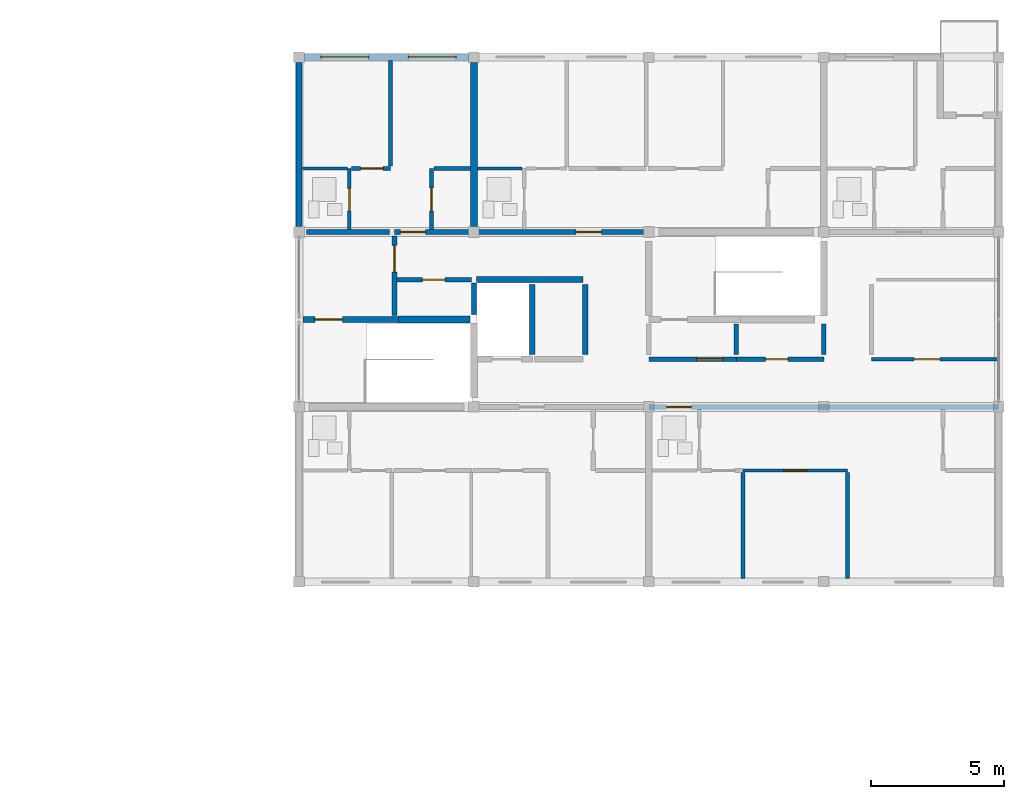
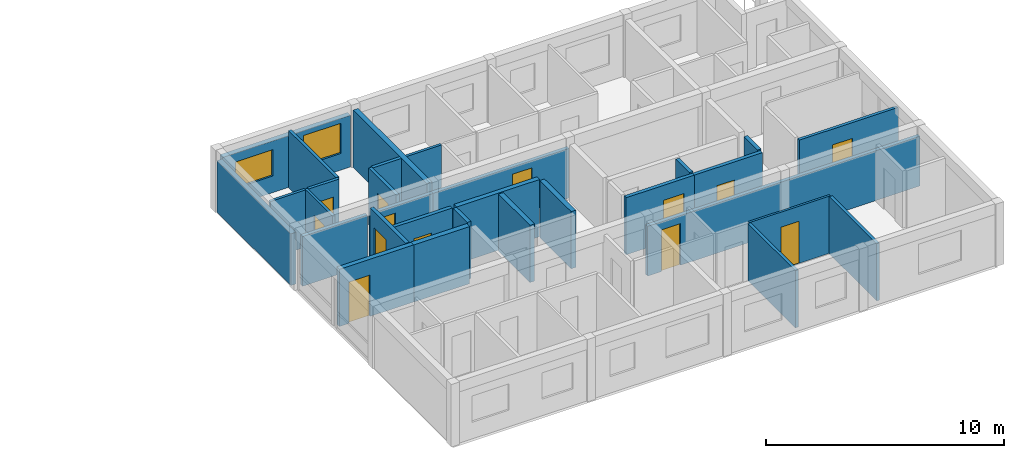
# One storey, part 17 of 23: 30 walls, 13 doors, 2 windows, 15 openings.
"""IFC4 building model written with IfcOpenShell, lengths in metres."""

from ifc_helpers import new_model, si_unit, direction, frame, frame_2d, origin, place, context, subcontext, project, spatial, rectangle, extrude, material, layer, layer_set, type_object, element, fill, save


model = new_model("IFC4")

# Units and contexts
model_context = context("Model", 3, precision=1e-05, world=origin(), true_north=direction((0.0, 1.0)))
body_context = subcontext(model_context, "Body", "Model", "MODEL_VIEW")
ifc_project = project(units=[si_unit("LENGTHUNIT", "METRE"), si_unit("AREAUNIT", "SQUARE_METRE"), si_unit("VOLUMEUNIT", "CUBIC_METRE"), si_unit("PLANEANGLEUNIT", "RADIAN"), si_unit("MASSUNIT", "GRAM", prefix="KILO")], contexts=[model_context])

# Site, building, storey
site_placement = place(None, origin())
site = spatial("IfcSite", under=ifc_project, at=site_placement, CompositionType="ELEMENT")
building_placement = place(site_placement, origin())
building = spatial("IfcBuilding", under=site, at=building_placement, Name="Kernevlak Ridge Housing Community", CompositionType="ELEMENT")
storey_placement = place(building_placement, frame((0.0, 0.0, 46.800048828125)))
storey = spatial("IfcBuildingStorey", under=building, at=storey_placement, Name="L14", CompositionType="ELEMENT", Elevation=46.800048828125)

# Wall, openings, windows
ifc_material_1 = material(Name="Concrete block masonry M10", Category="masonry")
ifc_layer_1 = layer(ifc_material_1, 0.239990234375, Name="Concrete block masonry M10")
ifc_layer_set_1 = layer_set([ifc_layer_1], Name="Concrete block masonry M10")
wall_type_1 = type_object("IfcWallType", Name="EW-06", PredefinedType="STANDARD", material=ifc_layer_set_1)
wall_1_placement = place(storey_placement, frame((119.60009765625, 102.39990234375, 0.0), z_axis=(0.0, 0.0, 1.0), x_axis=(1.0, 0.0, 0.0)))
wall_1 = element("IfcWall", 1, at=wall_1_placement, inside=storey, type_object=wall_type_1, Name="Exterior wall EW-06 L14 518", PredefinedType="STANDARD", context=body_context, shape_type="SweptSolid", body=[
    extrude(rectangle(XDim=6.199951171875, YDim=0.239990234375, at=frame_2d((3.10009765625, 0.0))), origin(), (0.0, 0.0, 1.0), 2.64990234375),
])
opening_1_placement = place(wall_1_placement, frame((0.625, 0.0, 0.85009765625)))
opening_1 = element("IfcOpeningElement", 2, at=opening_1_placement, cuts=wall_1, Name="Opening WT-03", PredefinedType="OPENING", context=body_context, shape_type="SweptSolid", body=[
    extrude(rectangle(XDim=1.800048828125, YDim=1.35009765625, at=frame_2d((0.89990234375, 0.675048828125))), frame((0.0, 0.1298828125, 0.0), z_axis=(0.0, -1.0, 0.0), x_axis=(1.0, 0.0, 0.0)), (0.0, 0.0, 1.0), 0.260009765625),
])
opening_2_placement = place(wall_1_placement, frame((3.925048828125, 0.0, 0.85009765625)))
opening_2 = element("IfcOpeningElement", 3, at=opening_2_placement, cuts=wall_1, Name="Opening WT-04", PredefinedType="OPENING", context=body_context, shape_type="SweptSolid", body=[
    extrude(rectangle(XDim=1.800048828125, YDim=1.550048828125, at=frame_2d((0.89990234375, 0.77490234375))), frame((0.0, 0.1298828125, 0.0), z_axis=(0.0, -1.0, 0.0), x_axis=(1.0, 0.0, 0.0)), (0.0, 0.0, 1.0), 0.260009765625),
])
ifc_material_2 = material(Name="Aluminium EN AW-6060 anodised and laminated glass", Category="aluminium")
window_type_1 = type_object("IfcWindowType", Name="WT-03", PartitioningType="SINGLE_PANEL", PredefinedType="WINDOW", material=ifc_material_2)
window_1_placement = place(opening_1_placement, origin())
window_1 = element("IfcWindow", 4, at=window_1_placement, inside=storey, type_object=window_type_1, Name="Window WT-03 L14 408", OverallHeight=1.35009765625, OverallWidth=1.800048828125, PartitioningType="SINGLE_PANEL", PredefinedType="WINDOW", context=body_context, shape_type="SweptSolid", body=[
    extrude(rectangle(XDim=1.800048828125, YDim=1.35009765625, at=frame_2d((0.89990234375, 0.675048828125))), frame((0.0, 0.030029296875, 0.0), z_axis=(0.0, -1.0, 0.0), x_axis=(1.0, 0.0, 0.0)), (0.0, 0.0, 1.0), 0.06005859375),
])
fill(opening_1, window_1)
window_type_2 = type_object("IfcWindowType", Name="WT-04", PartitioningType="SINGLE_PANEL", PredefinedType="WINDOW", material=ifc_material_2)
window_2_placement = place(opening_2_placement, origin())
window_2 = element("IfcWindow", 5, at=window_2_placement, inside=storey, type_object=window_type_2, Name="Window WT-04 L14 409", OverallHeight=1.550048828125, OverallWidth=1.800048828125, PartitioningType="SINGLE_PANEL", PredefinedType="WINDOW", context=body_context, shape_type="SweptSolid", body=[
    extrude(rectangle(XDim=1.800048828125, YDim=1.550048828125, at=frame_2d((0.89990234375, 0.77490234375))), frame((0.0, 0.030029296875, 0.0), z_axis=(0.0, -1.0, 0.0), x_axis=(1.0, 0.0, 0.0)), (0.0, 0.0, 1.0), 0.06005859375),
])
fill(opening_2, window_2)

# Wall
wall_2_placement = place(storey_placement, frame((119.39990234375, 96.0, 0.0), z_axis=(0.0, 0.0, 1.0), x_axis=(0.0, 1.0, 0.0)))
element("IfcWall", 6, at=wall_2_placement, inside=storey, type_object=wall_type_1, Name="Exterior wall EW-06 L14 525", PredefinedType="STANDARD", context=body_context, shape_type="SweptSolid", body=[
    extrude(rectangle(XDim=6.199951171875, YDim=0.239990234375, at=frame_2d((3.10009765625, 0.0))), origin(), (0.0, 0.0, 1.0), 2.64990234375),
])

# Wall, opening, door
ifc_material_3 = material(Name="Concrete C35/45", Category="concrete")
ifc_layer_2 = layer(ifc_material_3, 0.22509765625, Name="Concrete C35/45")
ifc_layer_set_2 = layer_set([ifc_layer_2], Name="Concrete C35/45")
wall_type_2 = type_object("IfcWallType", Name="PW-01", PredefinedType="STANDARD", material=ifc_layer_set_2)
wall_3_placement = place(storey_placement, frame((119.550048828125, 92.5, 0.0), z_axis=(0.0, 0.0, 1.0), x_axis=(1.0, 0.0, 0.0)))
wall_3 = element("IfcWall", 7, at=wall_3_placement, inside=storey, type_object=wall_type_2, Name="Interior wall PW-01 WAL-INT-L14-2019", PredefinedType="STANDARD", context=body_context, shape_type="SweptSolid", body=[
    extrude(rectangle(XDim=3.599853515625, YDim=0.22509765625, at=frame_2d((1.7998046875, 0.0))), origin(), (0.0, 0.0, 1.0), 2.929931640625),
])
opening_3_placement = place(wall_3_placement, frame((0.449951171875, 0.0, 0.0)))
opening_3 = element("IfcOpeningElement", 8, at=opening_3_placement, cuts=wall_3, Name="Opening E026", PredefinedType="OPENING", context=body_context, shape_type="SweptSolid", body=[
    extrude(rectangle(XDim=1.0400390625, YDim=2.1201171875, at=frame_2d((0.52001953125, 1.06005859375))), frame((0.0, 0.12255859375, 0.0), z_axis=(0.0, -1.0, 0.0), x_axis=(1.0, 0.0, 0.0)), (0.0, 0.0, 1.0), 0.2451171875),
])
ifc_material_4 = material(Name="Fire-rated sheet steel leaf", Category="steel")
door_type_1 = type_object("IfcDoorType", Name="DT-16", OperationType="NOTDEFINED", PredefinedType="DOOR", material=ifc_material_4)
door_1_placement = place(opening_3_placement, origin())
door_1 = element("IfcDoor", 9, at=door_1_placement, inside=storey, type_object=door_type_1, Name="Block B Stair 1 fire door E026", OperationType="SINGLE_SWING_LEFT", OverallHeight=2.1201171875, OverallWidth=1.0400390625, PredefinedType="DOOR", context=body_context, shape_type="SweptSolid", body=[
    extrude(rectangle(XDim=1.0400390625, YDim=2.1201171875, at=frame_2d((0.52001953125, 1.06005859375))), frame((0.0, 0.02490234375, 0.0), z_axis=(0.0, -1.0, 0.0), x_axis=(1.0, 0.0, 0.0)), (0.0, 0.0, 1.0), 0.050048828125),
])
fill(opening_3, door_1)

# Walls
wall_4_placement = place(storey_placement, frame((126.097412109375, 94.0, 0.0), z_axis=(0.0, 0.0, 1.0), x_axis=(1.0, 0.0, 0.0)))
element("IfcWall", 10, at=wall_4_placement, inside=storey, type_object=wall_type_2, Name="Interior wall PW-01 WAL-INT-L14-2025", PredefinedType="STANDARD", context=body_context, shape_type="SweptSolid", body=[
    extrude(rectangle(XDim=4.022705078125, YDim=0.22509765625, at=frame_2d((2.01123046875, 0.0))), origin(), (0.0, 0.0, 1.0), 2.929931640625),
])
for number, where, z_axis, x_axis, name in (
    (11, (128.199951171875, 91.179931640625, 0.0), (0.0, 0.0, 1.0), (0.0, 1.0, 0.0), "Interior wall PW-01 WAL-INT-L14-2027"),
    (12, (130.199951171875, 91.179931640625, 0.0), (0.0, 0.0, 1.0), (0.0, 1.0, 0.0), "Interior wall PW-01 WAL-INT-L14-2028"),
):
    element("IfcWall", number, at=place(storey_placement, frame(where, z_axis=z_axis, x_axis=x_axis)), inside=storey, type_object=wall_type_2, Name=name, PredefinedType="STANDARD", context=body_context, shape_type="SweptSolid", body=[
        extrude(rectangle(XDim=2.64013671875, YDim=0.22509765625, at=frame_2d((1.320068359375, 0.0))), origin(), (0.0, 0.0, 1.0), 2.929931640625),
    ])

# Wall, opening, door
ifc_layer_3 = layer(ifc_material_1, 0.175048828125, Name="Concrete block masonry M10")
ifc_layer_set_3 = layer_set([ifc_layer_3], Name="Concrete block masonry M10")
wall_type_3 = type_object("IfcWallType", Name="PW-02", PredefinedType="PARTITIONING", material=ifc_layer_set_3)
wall_5_placement = place(storey_placement, frame((123.0, 92.64990234375, 0.0), z_axis=(0.0, 0.0, 1.0), x_axis=(0.0, 1.0, 0.0)))
wall_5 = element("IfcWall", 13, at=wall_5_placement, inside=storey, type_object=wall_type_3, Name="Interior wall PW-02 WAL-INT-L14-2020", PredefinedType="PARTITIONING", context=body_context, shape_type="SweptSolid", body=[
    extrude(rectangle(XDim=3.0, YDim=0.175048828125, at=frame_2d((1.5, 0.0))), origin(), (0.0, 0.0, 1.0), 2.929931640625),
])
opening_4_placement = place(wall_5_placement, frame((1.64990234375, 0.0, 0.0)))
opening_4 = element("IfcOpeningElement", 14, at=opening_4_placement, cuts=wall_5, Name="Opening E027", PredefinedType="OPENING", context=body_context, shape_type="SweptSolid", body=[
    extrude(rectangle(XDim=1.0, YDim=2.10009765625, at=frame_2d((0.5, 1.050048828125))), frame((0.0, 0.097412109375, 0.0), z_axis=(0.0, -1.0, 0.0), x_axis=(1.0, 0.0, 0.0)), (0.0, 0.0, 1.0), 0.195068359375),
])
door_type_2 = type_object("IfcDoorType", Name="DT-05", OperationType="NOTDEFINED", PredefinedType="DOOR", material=ifc_material_4)
door_2_placement = place(opening_4_placement, origin())
door_2 = element("IfcDoor", 15, at=door_2_placement, inside=storey, type_object=door_type_2, Name="Block B Firefighting lobby 1 door E027", OperationType="SINGLE_SWING_RIGHT", OverallHeight=2.10009765625, OverallWidth=1.0, PredefinedType="DOOR", context=body_context, shape_type="SweptSolid", body=[
    extrude(rectangle(XDim=1.0, YDim=2.10009765625, at=frame_2d((0.5, 1.050048828125))), frame((0.0, 0.02490234375, 0.0), z_axis=(0.0, -1.0, 0.0), x_axis=(1.0, 0.0, 0.0)), (0.0, 0.0, 1.0), 0.050048828125),
])
fill(opening_4, door_2)

wall_6_placement = place(storey_placement, frame((123.10009765625, 94.0, 0.0), z_axis=(0.0, 0.0, 1.0), x_axis=(1.0, 0.0, 0.0)))
wall_6 = element("IfcWall", 16, at=wall_6_placement, inside=storey, type_object=wall_type_3, Name="Interior wall PW-02 WAL-INT-L14-2021", PredefinedType="PARTITIONING", context=body_context, shape_type="SweptSolid", body=[
    extrude(rectangle(XDim=2.7998046875, YDim=0.175048828125, at=frame_2d((1.39990234375, 0.0))), origin(), (0.0, 0.0, 1.0), 2.929931640625),
])
opening_5_placement = place(wall_6_placement, frame((0.949951171875, 0.0, 0.0)))
opening_5 = element("IfcOpeningElement", 17, at=opening_5_placement, cuts=wall_6, Name="Opening E028", PredefinedType="OPENING", context=body_context, shape_type="SweptSolid", body=[
    extrude(rectangle(XDim=0.85009765625, YDim=2.0, at=frame_2d((0.425048828125, 1.0))), frame((0.0, 0.097412109375, 0.0), z_axis=(0.0, -1.0, 0.0), x_axis=(1.0, 0.0, 0.0)), (0.0, 0.0, 1.0), 0.195068359375),
])
door_type_3 = type_object("IfcDoorType", Name="DT-07", OperationType="NOTDEFINED", PredefinedType="DOOR", material=ifc_material_4)
door_3_placement = place(opening_5_placement, origin())
door_3 = element("IfcDoor", 18, at=door_3_placement, inside=storey, type_object=door_type_3, Name="Block B Riser shaft door E028", OperationType="SINGLE_SWING_LEFT", OverallHeight=2.0, OverallWidth=0.85009765625, PredefinedType="DOOR", context=body_context, shape_type="SweptSolid", body=[
    extrude(rectangle(XDim=0.85009765625, YDim=2.0, at=frame_2d((0.425048828125, 1.0))), frame((0.0, 0.02490234375, 0.0), z_axis=(0.0, -1.0, 0.0), x_axis=(1.0, 0.0, 0.0)), (0.0, 0.0, 1.0), 0.050048828125),
])
fill(opening_5, door_3)

# Wall
wall_7_placement = place(storey_placement, frame((126.0, 92.679931640625, 0.0), z_axis=(0.0, 0.0, 1.0), x_axis=(0.0, 1.0, 0.0)))
element("IfcWall", 19, at=wall_7_placement, inside=storey, type_object=wall_type_3, Name="Interior wall PW-02 WAL-INT-L14-2022", PredefinedType="PARTITIONING", context=body_context, shape_type="SweptSolid", body=[
    extrude(rectangle(XDim=1.190185546875, YDim=0.175048828125, at=frame_2d((0.59521484375, 0.0))), origin(), (0.0, 0.0, 1.0), 2.929931640625),
])

# Wall, opening, door
wall_8_placement = place(storey_placement, frame((132.60009765625, 91.0, 0.0), z_axis=(0.0, 0.0, 1.0), x_axis=(1.0, 0.0, 0.0)))
wall_8 = element("IfcWall", 20, at=wall_8_placement, inside=storey, type_object=wall_type_3, Name="Interior wall PW-02 WAL-INT-L14-2030", PredefinedType="PARTITIONING", context=body_context, shape_type="SweptSolid", body=[
    extrude(rectangle(XDim=3.2998046875, YDim=0.175048828125, at=frame_2d((1.64990234375, 0.0))), origin(), (0.0, 0.0, 1.0), 2.929931640625),
])
opening_6_placement = place(wall_8_placement, frame((1.800048828125, 0.0, 0.0)))
opening_6 = element("IfcOpeningElement", 21, at=opening_6_placement, cuts=wall_8, Name="Opening E030", PredefinedType="OPENING", context=body_context, shape_type="SweptSolid", body=[
    extrude(rectangle(XDim=1.0, YDim=2.159912109375, at=frame_2d((0.5, 1.080078125))), frame((0.0, 0.097412109375, 0.0), z_axis=(0.0, -1.0, 0.0), x_axis=(1.0, 0.0, 0.0)), (0.0, 0.0, 1.0), 0.195068359375),
])
door_type_4 = type_object("IfcDoorType", Name="DT-15", OperationType="NOTDEFINED", PredefinedType="DOOR", material=ifc_material_4)
door_4_placement = place(opening_6_placement, origin())
door_4 = element("IfcDoor", 22, at=door_4_placement, inside=storey, type_object=door_type_4, Name="Block B Firefighting lobby 2 door E030", OperationType="SINGLE_SWING_LEFT", OverallHeight=2.159912109375, OverallWidth=1.0, PredefinedType="DOOR", context=body_context, shape_type="SweptSolid", body=[
    extrude(rectangle(XDim=1.0, YDim=2.159912109375, at=frame_2d((0.5, 1.080078125))), frame((0.0, 0.02490234375, 0.0), z_axis=(0.0, -1.0, 0.0), x_axis=(1.0, 0.0, 0.0)), (0.0, 0.0, 1.0), 0.050048828125),
])
fill(opening_6, door_4)

wall_9_placement = place(storey_placement, frame((135.89990234375, 91.0, 0.0), z_axis=(0.0, 0.0, 1.0), x_axis=(1.0, 0.0, 0.0)))
wall_9 = element("IfcWall", 23, at=wall_9_placement, inside=storey, type_object=wall_type_3, Name="Interior wall PW-02 WAL-INT-L14-2031", PredefinedType="PARTITIONING", context=body_context, shape_type="SweptSolid", body=[
    extrude(rectangle(XDim=3.300048828125, YDim=0.175048828125, at=frame_2d((1.64990234375, 0.0))), origin(), (0.0, 0.0, 1.0), 2.929931640625),
])
opening_7_placement = place(wall_9_placement, frame((1.10009765625, 0.0, 0.0)))
opening_7 = element("IfcOpeningElement", 24, at=opening_7_placement, cuts=wall_9, Name="Opening E031", PredefinedType="OPENING", context=body_context, shape_type="SweptSolid", body=[
    extrude(rectangle(XDim=0.85009765625, YDim=2.0, at=frame_2d((0.425048828125, 1.0))), frame((0.0, 0.097412109375, 0.0), z_axis=(0.0, -1.0, 0.0), x_axis=(1.0, 0.0, 0.0)), (0.0, 0.0, 1.0), 0.195068359375),
])
door_5_placement = place(opening_7_placement, origin())
door_5 = element("IfcDoor", 25, at=door_5_placement, inside=storey, type_object=door_type_3, Name="Block B Cleaner store door E031", OperationType="SINGLE_SWING_RIGHT", OverallHeight=2.0, OverallWidth=0.85009765625, PredefinedType="DOOR", context=body_context, shape_type="SweptSolid", body=[
    extrude(rectangle(XDim=0.85009765625, YDim=2.0, at=frame_2d((0.425048828125, 1.0))), frame((0.0, 0.02490234375, 0.0), z_axis=(0.0, -1.0, 0.0), x_axis=(1.0, 0.0, 0.0)), (0.0, 0.0, 1.0), 0.050048828125),
])
fill(opening_7, door_5)

# Walls
for number, where, z_axis, x_axis, name in (
    (26, (135.89990234375, 91.179931640625, 0.0), (0.0, 0.0, 1.0), (0.0, 1.0, 0.0), "Interior wall PW-02 WAL-INT-L14-2033"),
    (27, (139.199951171875, 91.179931640625, 0.0), (0.0, 0.0, 1.0), (0.0, 1.0, 0.0), "Interior wall PW-02 WAL-INT-L14-2034"),
):
    element("IfcWall", number, at=place(storey_placement, frame(where, z_axis=z_axis, x_axis=x_axis)), inside=storey, type_object=wall_type_3, Name=name, PredefinedType="PARTITIONING", context=body_context, shape_type="SweptSolid", body=[
        extrude(rectangle(XDim=1.14013671875, YDim=0.175048828125, at=frame_2d((0.570068359375, 0.0))), origin(), (0.0, 0.0, 1.0), 2.929931640625),
    ])

# Wall, opening, door
wall_10_placement = place(storey_placement, frame((132.60009765625, 89.199951171875, 0.0), z_axis=(0.0, 0.0, 1.0), x_axis=(1.0, 0.0, 0.0)))
wall_10 = element("IfcWall", 28, at=wall_10_placement, inside=storey, type_object=wall_type_3, Name="Interior wall PW-02 WAL-INT-L14-2049", PredefinedType="PARTITIONING", context=body_context, shape_type="SweptSolid", body=[
    extrude(rectangle(XDim=13.199951171875, YDim=0.175048828125, at=frame_2d((6.60009765625, 0.0))), origin(), (0.0, 0.0, 1.0), 2.550048828125),
])
opening_8_placement = place(wall_10_placement, frame((0.669921875, 0.0, 0.0)))
opening_8 = element("IfcOpeningElement", 29, at=opening_8_placement, cuts=wall_10, Name="Opening E039", PredefinedType="OPENING", context=body_context, shape_type="SweptSolid", body=[
    extrude(rectangle(XDim=0.919921875, YDim=2.139892578125, at=frame_2d((0.4599609375, 1.06982421875))), frame((0.0, 0.097412109375, 0.0), z_axis=(0.0, -1.0, 0.0), x_axis=(1.0, 0.0, 0.0)), (0.0, 0.0, 1.0), 0.195068359375),
])
ifc_material_5 = material(Name="Hardwood timber solid-core fire leaf", Category="wood")
door_type_5 = type_object("IfcDoorType", Name="DT-20", OperationType="NOTDEFINED", PredefinedType="DOOR", material=ifc_material_5)
door_6_placement = place(opening_8_placement, origin())
door_6 = element("IfcDoor", 30, at=door_6_placement, inside=storey, type_object=door_type_5, Name="Flat B1412 entrance fire door E039", OperationType="SINGLE_SWING_RIGHT", OverallHeight=2.139892578125, OverallWidth=0.919921875, PredefinedType="DOOR", context=body_context, shape_type="SweptSolid", body=[
    extrude(rectangle(XDim=0.919921875, YDim=2.139892578125, at=frame_2d((0.4599609375, 1.06982421875))), frame((0.0, 0.02490234375, 0.0), z_axis=(0.0, -1.0, 0.0), x_axis=(1.0, 0.0, 0.0)), (0.0, 0.0, 1.0), 0.050048828125),
])
fill(opening_8, door_6)

# Wall
wall_11_placement = place(storey_placement, frame((119.679931640625, 95.800048828125, 0.0), z_axis=(0.0, 0.0, 1.0), x_axis=(1.0, 0.0, 0.0)))
element("IfcWall", 31, at=wall_11_placement, inside=storey, type_object=wall_type_3, Name="Interior wall PW-02 WAL-INT-L14-2058", PredefinedType="PARTITIONING", context=body_context, shape_type="SweptSolid", body=[
    extrude(rectangle(XDim=3.14013671875, YDim=0.175048828125, at=frame_2d((1.570068359375, 0.0))), origin(), (0.0, 0.0, 1.0), 2.550048828125),
])

# Wall, opening, door
wall_12_placement = place(storey_placement, frame((123.0, 95.800048828125, 0.0), z_axis=(0.0, 0.0, 1.0), x_axis=(1.0, 0.0, 0.0)))
wall_12 = element("IfcWall", 32, at=wall_12_placement, inside=storey, type_object=wall_type_3, Name="Interior wall PW-02 WAL-INT-L14-2059", PredefinedType="PARTITIONING", context=body_context, shape_type="SweptSolid", body=[
    extrude(rectangle(XDim=3.0, YDim=0.175048828125, at=frame_2d((1.5, 0.0))), origin(), (0.0, 0.0, 1.0), 2.550048828125),
])
opening_9_placement = place(wall_12_placement, frame((0.219970703125, 0.0, 0.0)))
opening_9 = element("IfcOpeningElement", 33, at=opening_9_placement, cuts=wall_12, Name="Opening E044", PredefinedType="OPENING", context=body_context, shape_type="SweptSolid", body=[
    extrude(rectangle(XDim=0.9599609375, YDim=2.179931640625, at=frame_2d((0.47998046875, 1.08984375))), frame((0.0, 0.097412109375, 0.0), z_axis=(0.0, -1.0, 0.0), x_axis=(1.0, 0.0, 0.0)), (0.0, 0.0, 1.0), 0.195068359375),
])
door_type_6 = type_object("IfcDoorType", Name="DT-29", OperationType="NOTDEFINED", PredefinedType="DOOR", material=ifc_material_5)
door_7_placement = place(opening_9_placement, origin())
door_7 = element("IfcDoor", 34, at=door_7_placement, inside=storey, type_object=door_type_6, Name="Flat B1421 entrance fire door E044", OperationType="SINGLE_SWING_LEFT", OverallHeight=2.179931640625, OverallWidth=0.9599609375, PredefinedType="DOOR", context=body_context, shape_type="SweptSolid", body=[
    extrude(rectangle(XDim=0.9599609375, YDim=2.179931640625, at=frame_2d((0.47998046875, 1.08984375))), frame((0.0, 0.02490234375, 0.0), z_axis=(0.0, -1.0, 0.0), x_axis=(1.0, 0.0, 0.0)), (0.0, 0.0, 1.0), 0.050048828125),
])
fill(opening_9, door_7)

wall_13_placement = place(storey_placement, frame((126.0, 95.800048828125, 0.0), z_axis=(0.0, 0.0, 1.0), x_axis=(1.0, 0.0, 0.0)))
wall_13 = element("IfcWall", 35, at=wall_13_placement, inside=storey, type_object=wall_type_3, Name="Interior wall PW-02 WAL-INT-L14-2066", PredefinedType="PARTITIONING", context=body_context, shape_type="SweptSolid", body=[
    extrude(rectangle(XDim=6.60009765625, YDim=0.175048828125, at=frame_2d((3.300048828125, 0.0))), origin(), (0.0, 0.0, 1.0), 2.550048828125),
])
opening_10_placement = place(wall_13_placement, frame((3.85009765625, 0.0, 0.0)))
opening_10 = element("IfcOpeningElement", 36, at=opening_10_placement, cuts=wall_13, Name="Opening E048", PredefinedType="OPENING", context=body_context, shape_type="SweptSolid", body=[
    extrude(rectangle(XDim=0.9599609375, YDim=2.179931640625, at=frame_2d((0.47998046875, 1.08984375))), frame((0.0, 0.097412109375, 0.0), z_axis=(0.0, -1.0, 0.0), x_axis=(1.0, 0.0, 0.0)), (0.0, 0.0, 1.0), 0.195068359375),
])
door_8_placement = place(opening_10_placement, origin())
door_8 = element("IfcDoor", 37, at=door_8_placement, inside=storey, type_object=door_type_6, Name="Flat B1422 entrance fire door E048", OperationType="SINGLE_SWING_LEFT", OverallHeight=2.179931640625, OverallWidth=0.9599609375, PredefinedType="DOOR", context=body_context, shape_type="SweptSolid", body=[
    extrude(rectangle(XDim=0.9599609375, YDim=2.179931640625, at=frame_2d((0.47998046875, 1.08984375))), frame((0.0, 0.02490234375, 0.0), z_axis=(0.0, -1.0, 0.0), x_axis=(1.0, 0.0, 0.0)), (0.0, 0.0, 1.0), 0.050048828125),
])
fill(opening_10, door_8)

ifc_layer_4 = layer(ifc_material_1, 0.14501953125, Name="Concrete block masonry M10")
ifc_layer_set_4 = layer_set([ifc_layer_4], Name="Concrete block masonry M10")
wall_type_4 = type_object("IfcWallType", Name="PW-03", PredefinedType="PARTITIONING", material=ifc_layer_set_4)
wall_14_placement = place(storey_placement, frame((141.0, 91.0, 0.0), z_axis=(0.0, 0.0, 1.0), x_axis=(1.0, 0.0, 0.0)))
wall_14 = element("IfcWall", 38, at=wall_14_placement, inside=storey, type_object=wall_type_4, Name="Interior wall PW-03 WAL-INT-L14-2035", PredefinedType="PARTITIONING", context=body_context, shape_type="SweptSolid", body=[
    extrude(rectangle(XDim=4.800048828125, YDim=0.14501953125, at=frame_2d((2.39990234375, 0.0))), origin(), (0.0, 0.0, 1.0), 2.929931640625),
])
opening_11_placement = place(wall_14_placement, frame((1.60009765625, 0.0, 0.0)))
opening_11 = element("IfcOpeningElement", 39, at=opening_11_placement, cuts=wall_14, Name="Opening E032", PredefinedType="OPENING", context=body_context, shape_type="SweptSolid", body=[
    extrude(rectangle(XDim=0.97998046875, YDim=2.1201171875, at=frame_2d((0.489990234375, 1.06005859375))), frame((0.0, 0.08251953125, 0.0), z_axis=(0.0, -1.0, 0.0), x_axis=(1.0, 0.0, 0.0)), (0.0, 0.0, 1.0), 0.1650390625),
])
ifc_material_6 = material(Name="Hardwood timber leaf", Category="wood")
door_type_7 = type_object("IfcDoorType", Name="DT-24", OperationType="NOTDEFINED", PredefinedType="DOOR", material=ifc_material_6)
door_9_placement = place(opening_11_placement, origin())
door_9 = element("IfcDoor", 40, at=door_9_placement, inside=storey, type_object=door_type_7, Name="Block B Laundry room door E032", OperationType="SINGLE_SWING_LEFT", OverallHeight=2.1201171875, OverallWidth=0.97998046875, PredefinedType="DOOR", context=body_context, shape_type="SweptSolid", body=[
    extrude(rectangle(XDim=0.97998046875, YDim=2.1201171875, at=frame_2d((0.489990234375, 1.06005859375))), frame((0.0, 0.02490234375, 0.0), z_axis=(0.0, -1.0, 0.0), x_axis=(1.0, 0.0, 0.0)), (0.0, 0.0, 1.0), 0.050048828125),
])
fill(opening_11, door_9)

# Walls
wall_15_placement = place(storey_placement, frame((136.14990234375, 86.717529296875, 0.0), z_axis=(0.0, 0.0, 1.0), x_axis=(0.0, -1.0, 0.0)))
element("IfcWall", 41, at=wall_15_placement, inside=storey, type_object=wall_type_4, Name="Interior wall PW-03 WAL-INT-L14-2055", PredefinedType="PARTITIONING", context=body_context, shape_type="SweptSolid", body=[
    extrude(rectangle(XDim=3.987548828125, YDim=0.14501953125, at=frame_2d((1.99365234375, 0.0))), origin(), (0.0, 0.0, 1.0), 2.929931640625),
])
wall_16_placement = place(storey_placement, frame((140.092041015625, 86.719970703125, 0.0), z_axis=(0.0, 0.0, 1.0), x_axis=(0.0, -1.0, 0.0)))
element("IfcWall", 42, at=wall_16_placement, inside=storey, type_object=wall_type_4, Name="Interior wall PW-03 WAL-INT-L14-2057", PredefinedType="PARTITIONING", context=body_context, shape_type="SweptSolid", body=[
    extrude(rectangle(XDim=3.989990234375, YDim=0.14501953125, at=frame_2d((1.9951171875, 0.0))), origin(), (0.0, 0.0, 1.0), 2.929931640625),
])

# Wall, opening, door
wall_17_placement = place(storey_placement, frame((121.37255859375, 98.199951171875, 0.0), z_axis=(0.0, 0.0, 1.0), x_axis=(1.0, 0.0, 0.0)))
wall_17 = element("IfcWall", 43, at=wall_17_placement, inside=storey, type_object=wall_type_4, Name="Interior wall PW-03 WAL-INT-L14-2064", PredefinedType="PARTITIONING", context=body_context, shape_type="SweptSolid", body=[
    extrude(rectangle(XDim=1.4775390625, YDim=0.14501953125, at=frame_2d((0.73876953125, 0.0))), origin(), (0.0, 0.0, 1.0), 2.929931640625),
])
opening_12_placement = place(wall_17_placement, frame((0.35009765625, 0.0, 0.0)))
opening_12 = element("IfcOpeningElement", 44, at=opening_12_placement, cuts=wall_17, Name="Opening E047", PredefinedType="OPENING", context=body_context, shape_type="SweptSolid", body=[
    extrude(rectangle(XDim=0.85009765625, YDim=2.10009765625, at=frame_2d((0.425048828125, 1.050048828125))), frame((0.0, 0.08251953125, 0.0), z_axis=(0.0, -1.0, 0.0), x_axis=(1.0, 0.0, 0.0)), (0.0, 0.0, 1.0), 0.1650390625),
])
door_type_8 = type_object("IfcDoorType", Name="DT-03", OperationType="NOTDEFINED", PredefinedType="DOOR", material=ifc_material_6)
door_10_placement = place(opening_12_placement, origin())
door_10 = element("IfcDoor", 45, at=door_10_placement, inside=storey, type_object=door_type_8, Name="Flat B1421 bedroom door E047", OperationType="SINGLE_SWING_RIGHT", OverallHeight=2.10009765625, OverallWidth=0.85009765625, PredefinedType="DOOR", context=body_context, shape_type="SweptSolid", body=[
    extrude(rectangle(XDim=0.85009765625, YDim=2.10009765625, at=frame_2d((0.425048828125, 1.050048828125))), frame((0.0, 0.02490234375, 0.0), z_axis=(0.0, -1.0, 0.0), x_axis=(1.0, 0.0, 0.0)), (0.0, 0.0, 1.0), 0.050048828125),
])
fill(opening_12, door_10)

# Wall
wall_18_placement = place(storey_placement, frame((122.85009765625, 98.282470703125, 0.0), z_axis=(0.0, 0.0, 1.0), x_axis=(0.0, 1.0, 0.0)))
element("IfcWall", 46, at=wall_18_placement, inside=storey, type_object=wall_type_4, Name="Interior wall PW-03 WAL-INT-L14-2065", PredefinedType="PARTITIONING", context=body_context, shape_type="SweptSolid", body=[
    extrude(rectangle(XDim=3.987548828125, YDim=0.14501953125, at=frame_2d((1.99365234375, 0.0))), origin(), (0.0, 0.0, 1.0), 2.929931640625),
])

# Wall, opening, door
ifc_material_7 = material(Name="Gypsum plasterboard EN 520", Category="gypsum")
ifc_layer_5 = layer(ifc_material_7, 0.125, Name="Gypsum plasterboard EN 520")
ifc_layer_set_5 = layer_set([ifc_layer_5], Name="Gypsum plasterboard EN 520")
wall_type_5 = type_object("IfcWallType", Name="PW-04", PredefinedType="PARTITIONING", material=ifc_layer_set_5)
wall_19_placement = place(storey_placement, frame((121.300048828125, 95.8974609375, 0.0), z_axis=(0.0, 0.0, 1.0), x_axis=(0.0, 1.0, 0.0)))
wall_19 = element("IfcWall", 47, at=wall_19_placement, inside=storey, type_object=wall_type_5, Name="Interior wall PW-04 WAL-INT-L14-2060", PredefinedType="PARTITIONING", context=body_context, shape_type="SweptSolid", body=[
    extrude(rectangle(XDim=2.302490234375, YDim=0.125, at=frame_2d((1.1513671875, 0.0))), origin(), (0.0, 0.0, 1.0), 2.929931640625),
])
opening_13_placement = place(wall_19_placement, frame((0.699951171875, 0.0, 0.0)))
opening_13 = element("IfcOpeningElement", 48, at=opening_13_placement, cuts=wall_19, Name="Opening E045", PredefinedType="OPENING", context=body_context, shape_type="SweptSolid", body=[
    extrude(rectangle(XDim=0.85009765625, YDim=2.0400390625, at=frame_2d((0.425048828125, 1.02001953125))), frame((0.0, 0.072509765625, 0.0), z_axis=(0.0, -1.0, 0.0), x_axis=(1.0, 0.0, 0.0)), (0.0, 0.0, 1.0), 0.14501953125),
])
ifc_material_8 = material(Name="Hardwood timber moisture-resistant leaf", Category="wood")
door_type_9 = type_object("IfcDoorType", Name="DT-04", OperationType="NOTDEFINED", PredefinedType="DOOR", material=ifc_material_8)
door_11_placement = place(opening_13_placement, origin())
door_11 = element("IfcDoor", 49, at=door_11_placement, inside=storey, type_object=door_type_9, Name="Flat B1421 bathroom door E045", OperationType="SINGLE_SWING_RIGHT", OverallHeight=2.0400390625, OverallWidth=0.85009765625, PredefinedType="DOOR", context=body_context, shape_type="SweptSolid", body=[
    extrude(rectangle(XDim=0.85009765625, YDim=2.0400390625, at=frame_2d((0.425048828125, 1.02001953125))), frame((0.0, 0.02490234375, 0.0), z_axis=(0.0, -1.0, 0.0), x_axis=(1.0, 0.0, 0.0)), (0.0, 0.0, 1.0), 0.050048828125),
])
fill(opening_13, door_11)

# Walls
wall_20_placement = place(storey_placement, frame((119.530029296875, 98.199951171875, 0.0), z_axis=(0.0, 0.0, 1.0), x_axis=(1.0, 0.0, 0.0)))
element("IfcWall", 50, at=wall_20_placement, inside=storey, type_object=wall_type_5, Name="Interior wall PW-04 WAL-INT-L14-2061", PredefinedType="PARTITIONING", context=body_context, shape_type="SweptSolid", body=[
    extrude(rectangle(XDim=1.68994140625, YDim=0.125, at=frame_2d((0.844970703125, 0.0))), origin(), (0.0, 0.0, 1.0), 2.929931640625),
])
wall_21_placement = place(storey_placement, frame((126.135009765625, 98.199951171875, 0.0), z_axis=(0.0, 0.0, 1.0), x_axis=(1.0, 0.0, 0.0)))
element("IfcWall", 51, at=wall_21_placement, inside=storey, type_object=wall_type_5, Name="Interior wall PW-04 WAL-INT-L14-2068", PredefinedType="PARTITIONING", context=body_context, shape_type="SweptSolid", body=[
    extrude(rectangle(XDim=1.68505859375, YDim=0.125, at=frame_2d((0.842529296875, 0.0))), origin(), (0.0, 0.0, 1.0), 2.929931640625),
])

# Wall, opening, door
ifc_layer_6 = layer(ifc_material_7, 0.155029296875, Name="Gypsum plasterboard EN 520")
ifc_layer_set_6 = layer_set([ifc_layer_6], Name="Gypsum plasterboard EN 520")
wall_type_6 = type_object("IfcWallType", Name="PW-05", PredefinedType="PARTITIONING", material=ifc_layer_set_6)
wall_22_placement = place(storey_placement, frame((124.39990234375, 95.8974609375, 0.0), z_axis=(0.0, 0.0, 1.0), x_axis=(0.0, 1.0, 0.0)))
wall_22 = element("IfcWall", 52, at=wall_22_placement, inside=storey, type_object=wall_type_6, Name="Interior wall PW-05 WAL-INT-L14-2062", PredefinedType="PARTITIONING", context=body_context, shape_type="SweptSolid", body=[
    extrude(rectangle(XDim=2.302490234375, YDim=0.155029296875, at=frame_2d((1.1513671875, 0.0))), origin(), (0.0, 0.0, 1.0), 2.929931640625),
])
opening_14_placement = place(wall_22_placement, frame((0.699951171875, 0.0, 0.0)))
opening_14 = element("IfcOpeningElement", 53, at=opening_14_placement, cuts=wall_22, Name="Opening E046", PredefinedType="OPENING", context=body_context, shape_type="SweptSolid", body=[
    extrude(rectangle(XDim=0.8701171875, YDim=2.080078125, at=frame_2d((0.43505859375, 1.0400390625))), frame((0.0, 0.08740234375, 0.0), z_axis=(0.0, -1.0, 0.0), x_axis=(1.0, 0.0, 0.0)), (0.0, 0.0, 1.0), 0.175048828125),
])
door_type_10 = type_object("IfcDoorType", Name="DT-32", OperationType="NOTDEFINED", PredefinedType="DOOR", material=ifc_material_6)
door_12_placement = place(opening_14_placement, origin())
door_12 = element("IfcDoor", 54, at=door_12_placement, inside=storey, type_object=door_type_10, Name="Flat B1421 kitchen door E046", OperationType="SINGLE_SWING_LEFT", OverallHeight=2.080078125, OverallWidth=0.8701171875, PredefinedType="DOOR", context=body_context, shape_type="SweptSolid", body=[
    extrude(rectangle(XDim=0.8701171875, YDim=2.080078125, at=frame_2d((0.43505859375, 1.0400390625))), frame((0.0, 0.02490234375, 0.0), z_axis=(0.0, -1.0, 0.0), x_axis=(1.0, 0.0, 0.0)), (0.0, 0.0, 1.0), 0.050048828125),
])
fill(opening_14, door_12)

# Wall
wall_23_placement = place(storey_placement, frame((124.487548828125, 98.199951171875, 0.0), z_axis=(0.0, 0.0, 1.0), x_axis=(1.0, 0.0, 0.0)))
element("IfcWall", 55, at=wall_23_placement, inside=storey, type_object=wall_type_6, Name="Interior wall PW-05 WAL-INT-L14-2063", PredefinedType="PARTITIONING", context=body_context, shape_type="SweptSolid", body=[
    extrude(rectangle(XDim=1.37744140625, YDim=0.155029296875, at=frame_2d((0.688720703125, 0.0))), origin(), (0.0, 0.0, 1.0), 2.929931640625),
])

# Wall, opening, door
ifc_layer_7 = layer(ifc_material_7, 0.10498046875, Name="Gypsum plasterboard EN 520")
ifc_layer_set_7 = layer_set([ifc_layer_7], Name="Gypsum plasterboard EN 520")
wall_type_7 = type_object("IfcWallType", Name="PW-06", PredefinedType="PARTITIONING", material=ifc_layer_set_7)
wall_24_placement = place(storey_placement, frame((136.14990234375, 86.800048828125, 0.0), z_axis=(0.0, 0.0, 1.0), x_axis=(1.0, 0.0, 0.0)))
wall_24 = element("IfcWall", 56, at=wall_24_placement, inside=storey, type_object=wall_type_7, Name="Interior wall PW-06 WAL-INT-L14-2056", PredefinedType="PARTITIONING", context=body_context, shape_type="SweptSolid", body=[
    extrude(rectangle(XDim=3.942138671875, YDim=0.10498046875, at=frame_2d((1.97119140625, 0.0))), origin(), (0.0, 0.0, 1.0), 2.929931640625),
])
opening_15_placement = place(wall_24_placement, frame((1.5458984375, 0.0, 0.0)))
opening_15 = element("IfcOpeningElement", 57, at=opening_15_placement, cuts=wall_24, Name="Opening E043", PredefinedType="OPENING", context=body_context, shape_type="SweptSolid", body=[
    extrude(rectangle(XDim=0.8798828125, YDim=2.159912109375, at=frame_2d((0.43994140625, 1.080078125))), frame((0.0, 0.0625, 0.0), z_axis=(0.0, -1.0, 0.0), x_axis=(1.0, 0.0, 0.0)), (0.0, 0.0, 1.0), 0.125),
])
door_type_11 = type_object("IfcDoorType", Name="DT-26", OperationType="NOTDEFINED", PredefinedType="DOOR", material=ifc_material_6)
door_13_placement = place(opening_15_placement, origin())
door_13 = element("IfcDoor", 58, at=door_13_placement, inside=storey, type_object=door_type_11, Name="Flat B1412 bedroom door E043", OperationType="SINGLE_SWING_RIGHT", OverallHeight=2.159912109375, OverallWidth=0.8798828125, PredefinedType="DOOR", context=body_context, shape_type="SweptSolid", body=[
    extrude(rectangle(XDim=0.8798828125, YDim=2.159912109375, at=frame_2d((0.43994140625, 1.080078125))), frame((0.0, 0.02490234375, 0.0), z_axis=(0.0, -1.0, 0.0), x_axis=(1.0, 0.0, 0.0)), (0.0, 0.0, 1.0), 0.050048828125),
])
fill(opening_15, door_13)

# Walls
ifc_material_9 = material(Name="Concrete C40/50", Category="concrete")
ifc_layer_8 = layer(ifc_material_9, 0.25, Name="Concrete C40/50")
ifc_layer_set_8 = layer_set([ifc_layer_8], Name="Concrete C40/50")
wall_type_8 = type_object("IfcWallType", Name="SW-03", PredefinedType="SHEAR", material=ifc_layer_set_8)
wall_25_placement = place(storey_placement, frame((123.14990234375, 92.5, 0.0), z_axis=(0.0, 0.0, 1.0), x_axis=(1.0, 0.0, 0.0)))
element("IfcWall", 59, at=wall_25_placement, inside=storey, type_object=wall_type_8, Name="Shear wall SW-03 Block B L14 352", PredefinedType="SHEAR", context=body_context, shape_type="SweptSolid", body=[
    extrude(rectangle(XDim=2.7001953125, YDim=0.25, at=frame_2d((1.35009765625, 0.0))), origin(), (0.0, 0.0, 1.0), 2.929931640625),
])
wall_26_placement = place(storey_placement, frame((126.0, 96.0, 0.0), z_axis=(0.0, 0.0, 1.0), x_axis=(0.0, 1.0, 0.0)))
element("IfcWall", 60, at=wall_26_placement, inside=storey, type_object=wall_type_8, Name="Shear wall SW-03 Block B L14 359", PredefinedType="SHEAR", context=body_context, shape_type="SweptSolid", body=[
    extrude(rectangle(XDim=6.199951171875, YDim=0.25, at=frame_2d((3.10009765625, 0.0))), origin(), (0.0, 0.0, 1.0), 2.929931640625),
])

save(model, "model.ifc")
